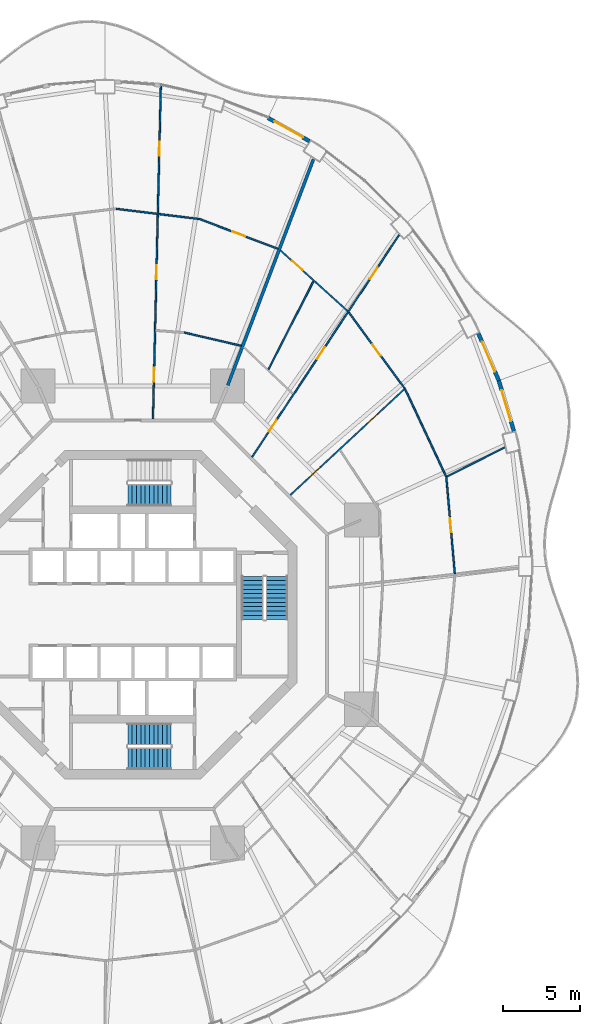
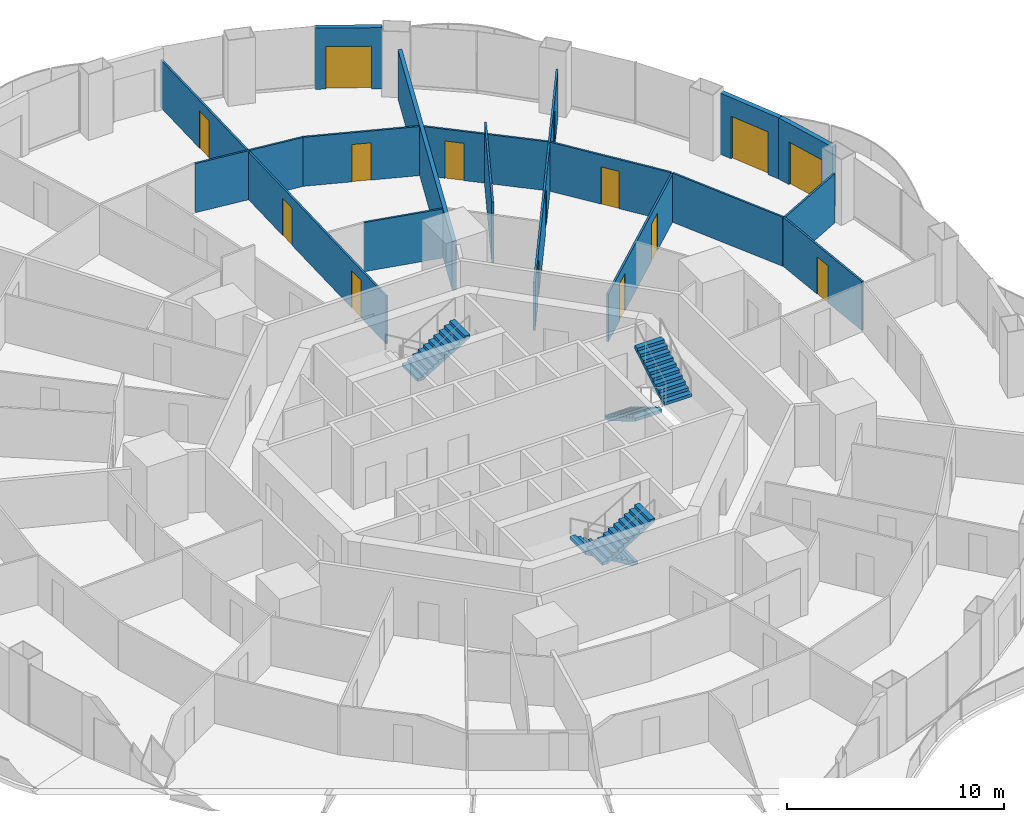
# One storey, part 20 of 24: 16 walls, 15 doors, 5 stair flights, 15 openings, 3 elements without a shape of their own.
"""IFC4 building model written with IfcOpenShell, lengths in metres."""

from ifc_helpers import new_model, si_unit, direction, frame, frame_2d, origin, place, context, subcontext, project, spatial, polyline, rectangle, outline, extrude, material, layer, layer_set, type_object, element, fill, aggregate, save


model = new_model("IFC4")

# Units and contexts
model_context = context("Model", 3, precision=1e-05, world=origin(), true_north=direction((0.0, 1.0)))
body_context = subcontext(model_context, "Body", "Model", "MODEL_VIEW")
ifc_project = project(units=[si_unit("LENGTHUNIT", "METRE"), si_unit("AREAUNIT", "SQUARE_METRE"), si_unit("VOLUMEUNIT", "CUBIC_METRE"), si_unit("PLANEANGLEUNIT", "RADIAN"), si_unit("MASSUNIT", "GRAM", prefix="KILO")], contexts=[model_context])

# Site, building, storey
site_placement = place(None, origin())
site = spatial("IfcSite", under=ifc_project, at=site_placement, CompositionType="ELEMENT")
building_placement = place(site_placement, origin())
building = spatial("IfcBuilding", under=site, at=building_placement, Name="Nagisa Residences", CompositionType="ELEMENT")
storey_placement = place(building_placement, frame((0.0, 0.0, 102.89990234375)))
storey = spatial("IfcBuildingStorey", under=building, at=storey_placement, Name="L25", CompositionType="ELEMENT", Elevation=102.89990234375)

# Wall
ifc_material_1 = material(Name="Gypsum board on steel studs", Category="steel")
ifc_layer_1 = layer(ifc_material_1, 0.199951171875)
ifc_layer_set_1 = layer_set([ifc_layer_1], Name="Apartment compartment wall EI60 200")
wall_type_1 = type_object("IfcWallType", Name="Apartment compartment wall EI60 200", PredefinedType="PARTITIONING", material=ifc_layer_set_1)
wall_1_placement = place(storey_placement, frame((6.140625, 14.828857421875, 0.0), z_axis=(0.0, 0.0, 1.0), x_axis=(0.354477134193, 0.935064682968, 0.0)))
element("IfcWall", 1, at=wall_1_placement, inside=storey, type_object=wall_type_1, Name="wall:L25:u01", PredefinedType="PARTITIONING", context=body_context, shape_type="SweptSolid", body=[
    extrude(rectangle(XDim=15.6259765625, YDim=0.199951171875, at=frame_2d((7.81298828125, 0.0))), origin(), (0.0, 0.0, 1.0), 2.76220703125),
])

# Wall, opening, door
ifc_material_2 = material(Name="Gypsum board on steel studs", Category="steel")
ifc_layer_2 = layer(ifc_material_2, 0.10009765625)
ifc_layer_set_2 = layer_set([ifc_layer_2], Name="Apartment partition 100")
wall_type_2 = type_object("IfcWallType", Name="Apartment partition 100", PredefinedType="PARTITIONING", material=ifc_layer_set_2)
wall_2_placement = place(storey_placement, frame((20.8251953125, 2.64208984375, 0.0), z_axis=(0.0, 0.0, 1.0), x_axis=(-0.08776338161, 0.996141349834, 0.0)))
wall_2 = element("IfcWall", 2, at=wall_2_placement, inside=storey, type_object=wall_type_2, Name="wall:L25:u21", PredefinedType="PARTITIONING", context=body_context, shape_type="SweptSolid", body=[
    extrude(rectangle(XDim=6.3369140625, YDim=0.10009765625, at=frame_2d((3.16845703125, 0.0))), origin(), (0.0, 0.0, 1.0), 2.76220703125),
])
opening_1_placement = place(wall_2_placement, frame((2.693603515625, 0.0, 0.0)))
opening_1 = element("IfcOpeningElement", 3, at=opening_1_placement, cuts=wall_2, Name="Opening L25-U33", PredefinedType="OPENING", context=body_context, shape_type="SweptSolid", body=[
    extrude(rectangle(XDim=0.89990234375, YDim=2.10009765625, at=frame_2d((0.449951171875, 1.050048828125))), frame((0.0, 0.06005859375, 0.0), z_axis=(0.0, -1.0, 0.0), x_axis=(1.0, 0.0, 0.0)), (0.0, 0.0, 1.0), 0.1201171875),
])
ifc_material_3 = material(Name="Timber door set", Category="wood")
door_type_1 = type_object("IfcDoorType", Name="Apartment door 900x2100", OperationType="NOTDEFINED", PredefinedType="DOOR", material=ifc_material_3)
door_1_placement = place(opening_1_placement, frame((0.89990234375, 0.0, 0.0), x_axis=(-1.0, 0.0, 0.0)))
door_1 = element("IfcDoor", 4, at=door_1_placement, inside=storey, type_object=door_type_1, Name="Door to bedroom, Apartment 25C", OperationType="SINGLE_SWING_RIGHT", OverallHeight=2.10009765625, OverallWidth=0.89990234375, PredefinedType="DOOR", context=body_context, shape_type="SweptSolid", body=[
    extrude(rectangle(XDim=0.89990234375, YDim=2.10009765625, at=frame_2d((0.449951171875, 1.050048828125))), frame((0.0, 0.02490234375, 0.0), z_axis=(0.0, -1.0, 0.0), x_axis=(1.0, 0.0, 0.0)), (0.0, 0.0, 1.0), 0.050048828125),
])
fill(opening_1, door_1)

# Walls
wall_3_placement = place(storey_placement, frame((20.318115234375, 8.92724609375, 0.0), z_axis=(0.0, 0.0, 1.0), x_axis=(0.892057836959, 0.451921249246, 0.0)))
element("IfcWall", 5, at=wall_3_placement, inside=storey, type_object=wall_type_2, Name="wall:L25:u25", PredefinedType="PARTITIONING", context=body_context, shape_type="SweptSolid", body=[
    extrude(rectangle(XDim=4.1640625, YDim=0.10009765625, at=frame_2d((2.08203125, 0.0))), origin(), (0.0, 0.0, 1.0), 2.76220703125),
])
wall_4_placement = place(storey_placement, frame((20.252197265625, 8.949951171875, 0.0), z_axis=(0.0, 0.0, 1.0), x_axis=(-0.424580052627, 0.90539040138, 0.0)))
element("IfcWall", 6, at=wall_4_placement, inside=storey, type_object=wall_type_2, Name="wall:L25:u26", PredefinedType="PARTITIONING", context=body_context, shape_type="SweptSolid", body=[
    extrude(rectangle(XDim=6.204345703125, YDim=0.10009765625, at=frame_2d((3.10205078125, 0.0))), origin(), (0.0, 0.0, 1.0), 2.76220703125),
])

# Wall, openings, doors
wall_5_placement = place(storey_placement, frame((10.1845703125, 7.72607421875, 0.0), z_axis=(0.0, 0.0, 1.0), x_axis=(0.732598472978, 0.680661059112, 0.0)))
wall_5 = element("IfcWall", 7, at=wall_5_placement, inside=storey, type_object=wall_type_2, Name="wall:L25:u27", PredefinedType="PARTITIONING", context=body_context, shape_type="SweptSolid", body=[
    extrude(rectangle(XDim=10.16748046875, YDim=0.10009765625, at=frame_2d((5.083740234375, 0.0))), origin(), (0.0, 0.0, 1.0), 2.68701171875),
])
opening_2_placement = place(wall_5_placement, frame((1.724853515625, 0.0, 0.0)))
opening_2 = element("IfcOpeningElement", 8, at=opening_2_placement, cuts=wall_5, Name="Opening L25-U29", PredefinedType="OPENING", context=body_context, shape_type="SweptSolid", body=[
    extrude(rectangle(XDim=0.89990234375, YDim=2.10009765625, at=frame_2d((0.449951171875, 1.050048828125))), frame((0.0, 0.06005859375, 0.0), z_axis=(0.0, -1.0, 0.0), x_axis=(1.0, 0.0, 0.0)), (0.0, 0.0, 1.0), 0.1201171875),
])
opening_3_placement = place(wall_5_placement, frame((6.78369140625, 0.0, 0.0)))
opening_3 = element("IfcOpeningElement", 9, at=opening_3_placement, cuts=wall_5, Name="Opening L25-U31", PredefinedType="OPENING", context=body_context, shape_type="SweptSolid", body=[
    extrude(rectangle(XDim=0.89990234375, YDim=2.10009765625, at=frame_2d((0.449951171875, 1.050048828125))), frame((0.0, 0.06005859375, 0.0), z_axis=(0.0, -1.0, 0.0), x_axis=(1.0, 0.0, 0.0)), (0.0, 0.0, 1.0), 0.1201171875),
])
door_2_placement = place(opening_2_placement, frame((0.89990234375, 0.0, 0.0), x_axis=(-1.0, 0.0, 0.0)))
door_2 = element("IfcDoor", 10, at=door_2_placement, inside=storey, type_object=door_type_1, Name="Door to laundry, Apartment 25C", OperationType="SINGLE_SWING_RIGHT", OverallHeight=2.10009765625, OverallWidth=0.89990234375, PredefinedType="DOOR", context=body_context, shape_type="SweptSolid", body=[
    extrude(rectangle(XDim=0.89990234375, YDim=2.10009765625, at=frame_2d((0.449951171875, 1.050048828125))), frame((0.0, 0.02490234375, 0.0), z_axis=(0.0, -1.0, 0.0), x_axis=(1.0, 0.0, 0.0)), (0.0, 0.0, 1.0), 0.050048828125),
])
fill(opening_2, door_2)
door_3_placement = place(opening_3_placement, frame((0.89990234375, 0.0, 0.0), x_axis=(-1.0, 0.0, 0.0)))
door_3 = element("IfcDoor", 11, at=door_3_placement, inside=storey, type_object=door_type_1, Name="Door to dining room, Apartment 25C", OperationType="SINGLE_SWING_RIGHT", OverallHeight=2.10009765625, OverallWidth=0.89990234375, PredefinedType="DOOR", context=body_context, shape_type="SweptSolid", body=[
    extrude(rectangle(XDim=0.89990234375, YDim=2.10009765625, at=frame_2d((0.449951171875, 1.050048828125))), frame((0.0, 0.02490234375, 0.0), z_axis=(0.0, -1.0, 0.0), x_axis=(1.0, 0.0, 0.0)), (0.0, 0.0, 1.0), 0.050048828125),
])
fill(opening_3, door_3)

# Wall, opening, door
wall_6_placement = place(storey_placement, frame((17.567138671875, 14.65283203125, 0.0), z_axis=(0.0, 0.0, 1.0), x_axis=(-0.592391983588, 0.80564988536, 0.0)))
wall_6 = element("IfcWall", 12, at=wall_6_placement, inside=storey, type_object=wall_type_2, Name="wall:L25:u28", PredefinedType="PARTITIONING", context=body_context, shape_type="SweptSolid", body=[
    extrude(rectangle(XDim=6.080078125, YDim=0.10009765625, at=frame_2d((3.0400390625, 0.0))), origin(), (0.0, 0.0, 1.0), 2.76220703125),
])
opening_4_placement = place(wall_6_placement, frame((2.590087890625, 0.0, 0.0)))
opening_4 = element("IfcOpeningElement", 13, at=opening_4_placement, cuts=wall_6, Name="Opening L25-U34", PredefinedType="OPENING", context=body_context, shape_type="SweptSolid", body=[
    extrude(rectangle(XDim=0.89990234375, YDim=2.10009765625, at=frame_2d((0.449951171875, 1.050048828125))), frame((0.0, 0.06005859375, 0.0), z_axis=(0.0, -1.0, 0.0), x_axis=(1.0, 0.0, 0.0)), (0.0, 0.0, 1.0), 0.1201171875),
])
door_4_placement = place(opening_4_placement, frame((0.89990234375, 0.0, 0.0), x_axis=(-1.0, 0.0, 0.0)))
door_4 = element("IfcDoor", 14, at=door_4_placement, inside=storey, type_object=door_type_1, Name="Door to living room, Apartment 25C", OperationType="SINGLE_SWING_LEFT", OverallHeight=2.10009765625, OverallWidth=0.89990234375, PredefinedType="DOOR", context=body_context, shape_type="SweptSolid", body=[
    extrude(rectangle(XDim=0.89990234375, YDim=2.10009765625, at=frame_2d((0.449951171875, 1.050048828125))), frame((0.0, 0.02490234375, 0.0), z_axis=(0.0, -1.0, 0.0), x_axis=(1.0, 0.0, 0.0)), (0.0, 0.0, 1.0), 0.050048828125),
])
fill(opening_4, door_4)

# Wall, openings, doors
wall_7_placement = place(storey_placement, frame((7.713134765625, 10.19482421875, 0.0), z_axis=(0.0, 0.0, 1.0), x_axis=(0.552111071171, 0.833770571015, 0.0)))
wall_7 = element("IfcWall", 15, at=wall_7_placement, inside=storey, type_object=wall_type_2, Name="wall:L25:u29", PredefinedType="PARTITIONING", context=body_context, shape_type="SweptSolid", body=[
    extrude(rectangle(XDim=17.20849609375, YDim=0.10009765625, at=frame_2d((8.604248046875, 0.0))), origin(), (0.0, 0.0, 1.0), 2.68701171875),
])
opening_5_placement = place(wall_7_placement, frame((1.975830078125, 0.0, 0.0)))
opening_5 = element("IfcOpeningElement", 16, at=opening_5_placement, cuts=wall_7, Name="Opening L25-U30", PredefinedType="OPENING", context=body_context, shape_type="SweptSolid", body=[
    extrude(rectangle(XDim=0.89990234375, YDim=2.10009765625, at=frame_2d((0.449951171875, 1.050048828125))), frame((0.0, 0.06005859375, 0.0), z_axis=(0.0, -1.0, 0.0), x_axis=(1.0, 0.0, 0.0)), (0.0, 0.0, 1.0), 0.1201171875),
])
opening_6_placement = place(wall_7_placement, frame((7.611083984375, 0.0, 0.0)))
opening_6 = element("IfcOpeningElement", 17, at=opening_6_placement, cuts=wall_7, Name="Opening L25-U32", PredefinedType="OPENING", context=body_context, shape_type="SweptSolid", body=[
    extrude(rectangle(XDim=0.89990234375, YDim=2.10009765625, at=frame_2d((0.449951171875, 1.050048828125))), frame((0.0, 0.06005859375, 0.0), z_axis=(0.0, -1.0, 0.0), x_axis=(1.0, 0.0, 0.0)), (0.0, 0.0, 1.0), 0.1201171875),
])
opening_7_placement = place(wall_7_placement, frame((13.78955078125, 0.0, 0.0)))
opening_7 = element("IfcOpeningElement", 18, at=opening_7_placement, cuts=wall_7, Name="Opening L25-U35", PredefinedType="OPENING", context=body_context, shape_type="SweptSolid", body=[
    extrude(rectangle(XDim=0.89990234375, YDim=2.10009765625, at=frame_2d((0.449951171875, 1.050048828125))), frame((0.0, 0.06005859375, 0.0), z_axis=(0.0, -1.0, 0.0), x_axis=(1.0, 0.0, 0.0)), (0.0, 0.0, 1.0), 0.1201171875),
])
door_5_placement = place(opening_5_placement, origin())
door_5 = element("IfcDoor", 19, at=door_5_placement, inside=storey, type_object=door_type_1, Name="Door to store, Apartment 25C", OperationType="SINGLE_SWING_RIGHT", OverallHeight=2.10009765625, OverallWidth=0.89990234375, PredefinedType="DOOR", context=body_context, shape_type="SweptSolid", body=[
    extrude(rectangle(XDim=0.89990234375, YDim=2.10009765625, at=frame_2d((0.449951171875, 1.050048828125))), frame((0.0, 0.02490234375, 0.0), z_axis=(0.0, -1.0, 0.0), x_axis=(1.0, 0.0, 0.0)), (0.0, 0.0, 1.0), 0.050048828125),
])
fill(opening_5, door_5)
door_6_placement = place(opening_6_placement, origin())
door_6 = element("IfcDoor", 20, at=door_6_placement, inside=storey, type_object=door_type_1, Name="Door to family bathroom, Apartment 25C", OperationType="SINGLE_SWING_RIGHT", OverallHeight=2.10009765625, OverallWidth=0.89990234375, PredefinedType="DOOR", context=body_context, shape_type="SweptSolid", body=[
    extrude(rectangle(XDim=0.89990234375, YDim=2.10009765625, at=frame_2d((0.449951171875, 1.050048828125))), frame((0.0, 0.02490234375, 0.0), z_axis=(0.0, -1.0, 0.0), x_axis=(1.0, 0.0, 0.0)), (0.0, 0.0, 1.0), 0.050048828125),
])
fill(opening_6, door_6)
door_7_placement = place(opening_7_placement, origin())
door_7 = element("IfcDoor", 21, at=door_7_placement, inside=storey, type_object=door_type_1, Name="Door to master bedroom, Apartment 25C", OperationType="SINGLE_SWING_LEFT", OverallHeight=2.10009765625, OverallWidth=0.89990234375, PredefinedType="DOOR", context=body_context, shape_type="SweptSolid", body=[
    extrude(rectangle(XDim=0.89990234375, YDim=2.10009765625, at=frame_2d((0.449951171875, 1.050048828125))), frame((0.0, 0.02490234375, 0.0), z_axis=(0.0, -1.0, 0.0), x_axis=(1.0, 0.0, 0.0)), (0.0, 0.0, 1.0), 0.050048828125),
])
fill(opening_7, door_7)

# Wall, opening, door
wall_8_placement = place(storey_placement, frame((13.8984375, 19.625244140625, 0.0), z_axis=(0.0, 0.0, 1.0), x_axis=(-0.742396654702, 0.669960601146, 0.0)))
wall_8 = element("IfcWall", 22, at=wall_8_placement, inside=storey, type_object=wall_type_2, Name="wall:L25:u31", PredefinedType="PARTITIONING", context=body_context, shape_type="SweptSolid", body=[
    extrude(rectangle(XDim=5.861083984375, YDim=0.10009765625, at=frame_2d((2.9306640625, 0.0))), origin(), (0.0, 0.0, 1.0), 2.76220703125),
])
opening_8_placement = place(wall_8_placement, frame((3.95849609375, 0.0, 0.0)))
opening_8 = element("IfcOpeningElement", 23, at=opening_8_placement, cuts=wall_8, Name="Opening L25-U38", PredefinedType="OPENING", context=body_context, shape_type="SweptSolid", body=[
    extrude(rectangle(XDim=0.89990234375, YDim=2.10009765625, at=frame_2d((0.449951171875, 1.050048828125))), frame((0.0, 0.06005859375, 0.0), z_axis=(0.0, -1.0, 0.0), x_axis=(1.0, 0.0, 0.0)), (0.0, 0.0, 1.0), 0.1201171875),
])
door_8_placement = place(opening_8_placement, origin())
door_8 = element("IfcDoor", 24, at=door_8_placement, inside=storey, type_object=door_type_1, Name="Door to en-suite bathroom, Apartment 25C", OperationType="SINGLE_SWING_RIGHT", OverallHeight=2.10009765625, OverallWidth=0.89990234375, PredefinedType="DOOR", context=body_context, shape_type="SweptSolid", body=[
    extrude(rectangle(XDim=0.89990234375, YDim=2.10009765625, at=frame_2d((0.449951171875, 1.050048828125))), frame((0.0, 0.02490234375, 0.0), z_axis=(0.0, -1.0, 0.0), x_axis=(1.0, 0.0, 0.0)), (0.0, 0.0, 1.0), 0.050048828125),
])
fill(opening_8, door_8)

# Walls
wall_9_placement = place(storey_placement, frame((8.769287109375, 15.84619140625, 0.0), z_axis=(0.0, 0.0, 1.0), x_axis=(0.454067187552, 0.890967445639, 0.0)))
element("IfcWall", 25, at=wall_9_placement, inside=storey, type_object=wall_type_2, Name="wall:L25:u32", PredefinedType="PARTITIONING", context=body_context, shape_type="SweptSolid", body=[
    extrude(rectangle(XDim=6.413818359375, YDim=0.10009765625, at=frame_2d((3.20703125, 0.0))), origin(), (0.0, 0.0, 1.0), 3.440185546875),
])
wall_10_placement = place(storey_placement, frame((7.004150390625, 17.385986328125, 0.0), z_axis=(0.0, 0.0, 1.0), x_axis=(-0.974179728512, 0.225773905837, 0.0)))
element("IfcWall", 26, at=wall_10_placement, inside=storey, type_object=wall_type_2, Name="wall:L25:u33", PredefinedType="PARTITIONING", context=body_context, shape_type="SweptSolid", body=[
    extrude(rectangle(XDim=3.802001953125, YDim=0.10009765625, at=frame_2d((1.90087890625, 0.0))), origin(), (0.0, 0.0, 1.0), 2.76220703125),
])

# Wall, opening, door
wall_11_placement = place(storey_placement, frame((9.37939453125, 23.654541015625, 0.0), z_axis=(0.0, 0.0, 1.0), x_axis=(-0.934609369022, 0.355675873986, 0.0)))
wall_11 = element("IfcWall", 27, at=wall_11_placement, inside=storey, type_object=wall_type_2, Name="wall:L25:u34", PredefinedType="PARTITIONING", context=body_context, shape_type="SweptSolid", body=[
    extrude(rectangle(XDim=5.466552734375, YDim=0.10009765625, at=frame_2d((2.7333984375, 0.0))), origin(), (0.0, 0.0, 1.0), 2.76220703125),
])
opening_9_placement = place(wall_11_placement, frame((2.25830078125, 0.0, 0.0)))
opening_9 = element("IfcOpeningElement", 28, at=opening_9_placement, cuts=wall_11, Name="Opening L25-U47", PredefinedType="OPENING", context=body_context, shape_type="SweptSolid", body=[
    extrude(rectangle(XDim=0.89990234375, YDim=2.10009765625, at=frame_2d((0.449951171875, 1.050048828125))), frame((0.0, 0.06005859375, 0.0), z_axis=(0.0, -1.0, 0.0), x_axis=(1.0, 0.0, 0.0)), (0.0, 0.0, 1.0), 0.1201171875),
])
door_9_placement = place(opening_9_placement, frame((0.89990234375, 0.0, 0.0), x_axis=(-1.0, 0.0, 0.0)))
door_9 = element("IfcDoor", 29, at=door_9_placement, inside=storey, type_object=door_type_1, Name="Door to living room, Apartment 25D", OperationType="SINGLE_SWING_RIGHT", OverallHeight=2.10009765625, OverallWidth=0.89990234375, PredefinedType="DOOR", context=body_context, shape_type="SweptSolid", body=[
    extrude(rectangle(XDim=0.89990234375, YDim=2.10009765625, at=frame_2d((0.449951171875, 1.050048828125))), frame((0.0, 0.02490234375, 0.0), z_axis=(0.0, -1.0, 0.0), x_axis=(1.0, 0.0, 0.0)), (0.0, 0.0, 1.0), 0.050048828125),
])
fill(opening_9, door_9)

# Wall
wall_12_placement = place(storey_placement, frame((4.267333984375, 25.587158203125, 0.0), z_axis=(0.0, 0.0, 1.0), x_axis=(-0.992576206119, 0.121624319302, 0.0)))
element("IfcWall", 30, at=wall_12_placement, inside=storey, type_object=wall_type_2, Name="wall:L25:u36", PredefinedType="PARTITIONING", context=body_context, shape_type="SweptSolid", body=[
    extrude(rectangle(XDim=5.37353515625, YDim=0.10009765625, at=frame_2d((2.686767578125, 0.0))), origin(), (0.0, 0.0, 1.0), 2.76220703125),
])

# Wall, openings, doors
wall_13_placement = place(storey_placement, frame((1.303466796875, 12.664794921875, 0.0), z_axis=(0.0, 0.0, 1.0), x_axis=(0.023564110689, 0.999722327793, 0.0)))
wall_13 = element("IfcWall", 31, at=wall_13_placement, inside=storey, type_object=wall_type_2, Name="wall:L25:u37", PredefinedType="PARTITIONING", context=body_context, shape_type="SweptSolid", body=[
    extrude(rectangle(XDim=21.664306640625, YDim=0.10009765625, at=frame_2d((10.83203125, 0.0))), origin(), (0.0, 0.0, 1.0), 2.68701171875),
])
opening_10_placement = place(wall_13_placement, frame((2.407470703125, 0.0, 0.0)))
opening_10 = element("IfcOpeningElement", 32, at=opening_10_placement, cuts=wall_13, Name="Opening L25-U42", PredefinedType="OPENING", context=body_context, shape_type="SweptSolid", body=[
    extrude(rectangle(XDim=0.89990234375, YDim=2.10009765625, at=frame_2d((0.449951171875, 1.050048828125))), frame((0.0, 0.06005859375, 0.0), z_axis=(0.0, -1.0, 0.0), x_axis=(1.0, 0.0, 0.0)), (0.0, 0.0, 1.0), 0.1201171875),
])
opening_11_placement = place(wall_13_placement, frame((9.03369140625, 0.0, 0.0)))
opening_11 = element("IfcOpeningElement", 33, at=opening_11_placement, cuts=wall_13, Name="Opening L25-U44", PredefinedType="OPENING", context=body_context, shape_type="SweptSolid", body=[
    extrude(rectangle(XDim=0.89990234375, YDim=2.10009765625, at=frame_2d((0.449951171875, 1.050048828125))), frame((0.0, 0.06005859375, 0.0), z_axis=(0.0, -1.0, 0.0), x_axis=(1.0, 0.0, 0.0)), (0.0, 0.0, 1.0), 0.1201171875),
])
opening_12_placement = place(wall_13_placement, frame((17.008544921875, 0.0, 0.0)))
opening_12 = element("IfcOpeningElement", 34, at=opening_12_placement, cuts=wall_13, Name="Opening L25-U48", PredefinedType="OPENING", context=body_context, shape_type="SweptSolid", body=[
    extrude(rectangle(XDim=0.89990234375, YDim=2.10009765625, at=frame_2d((0.449951171875, 1.050048828125))), frame((0.0, 0.06005859375, 0.0), z_axis=(0.0, -1.0, 0.0), x_axis=(1.0, 0.0, 0.0)), (0.0, 0.0, 1.0), 0.1201171875),
])
door_10_placement = place(opening_10_placement, frame((0.89990234375, 0.0, 0.0), x_axis=(-1.0, 0.0, 0.0)))
door_10 = element("IfcDoor", 35, at=door_10_placement, inside=storey, type_object=door_type_1, Name="Door to laundry, Apartment 25D", OperationType="SINGLE_SWING_LEFT", OverallHeight=2.10009765625, OverallWidth=0.89990234375, PredefinedType="DOOR", context=body_context, shape_type="SweptSolid", body=[
    extrude(rectangle(XDim=0.89990234375, YDim=2.10009765625, at=frame_2d((0.449951171875, 1.050048828125))), frame((0.0, 0.02490234375, 0.0), z_axis=(0.0, -1.0, 0.0), x_axis=(1.0, 0.0, 0.0)), (0.0, 0.0, 1.0), 0.050048828125),
])
fill(opening_10, door_10)
door_11_placement = place(opening_11_placement, frame((0.89990234375, 0.0, 0.0), x_axis=(-1.0, 0.0, 0.0)))
door_11 = element("IfcDoor", 36, at=door_11_placement, inside=storey, type_object=door_type_1, Name="Door to dining room, Apartment 25D", OperationType="SINGLE_SWING_LEFT", OverallHeight=2.10009765625, OverallWidth=0.89990234375, PredefinedType="DOOR", context=body_context, shape_type="SweptSolid", body=[
    extrude(rectangle(XDim=0.89990234375, YDim=2.10009765625, at=frame_2d((0.449951171875, 1.050048828125))), frame((0.0, 0.02490234375, 0.0), z_axis=(0.0, -1.0, 0.0), x_axis=(1.0, 0.0, 0.0)), (0.0, 0.0, 1.0), 0.050048828125),
])
fill(opening_11, door_11)
door_12_placement = place(opening_12_placement, origin())
door_12 = element("IfcDoor", 37, at=door_12_placement, inside=storey, type_object=door_type_1, Name="Door to family room, Apartment 25D", OperationType="SINGLE_SWING_RIGHT", OverallHeight=2.10009765625, OverallWidth=0.89990234375, PredefinedType="DOOR", context=body_context, shape_type="SweptSolid", body=[
    extrude(rectangle(XDim=0.89990234375, YDim=2.10009765625, at=frame_2d((0.449951171875, 1.050048828125))), frame((0.0, 0.02490234375, 0.0), z_axis=(0.0, -1.0, 0.0), x_axis=(1.0, 0.0, 0.0)), (0.0, 0.0, 1.0), 0.050048828125),
])
fill(opening_12, door_12)

# Wall, opening, door
ifc_material_4 = material(Name="Precast concrete C40/50", Category="concrete")
ifc_layer_3 = layer(ifc_material_4, 0.25)
ifc_layer_set_3 = layer_set([ifc_layer_3], Name="BALCONY DOOR WALL 250")
wall_type_3 = type_object("IfcWallType", Name="BALCONY DOOR WALL 250", PredefinedType="SOLIDWALL", material=ifc_layer_set_3)
wall_14_placement = place(storey_placement, frame((23.6669921875, 15.142333984375, 0.0), z_axis=(0.0, 0.0, 1.0), x_axis=(0.285882094477, -0.958264800594, 0.0)))
wall_14 = element("IfcWall", 38, at=wall_14_placement, inside=storey, type_object=wall_type_3, Name="wall:L25:bay02", PredefinedType="SOLIDWALL", context=body_context, shape_type="SweptSolid", body=[
    extrude(rectangle(XDim=3.423583984375, YDim=0.25, at=frame_2d((1.7119140625, 0.0))), origin(), (0.0, 0.0, 1.0), 3.440185546875),
])
opening_13_placement = place(wall_14_placement, frame((0.661865234375, 0.0, 0.0)))
opening_13 = element("IfcOpeningElement", 39, at=opening_13_placement, cuts=wall_14, Name="Opening BD-L25-01", PredefinedType="OPENING", context=body_context, shape_type="SweptSolid", body=[
    extrude(rectangle(XDim=2.10009765625, YDim=2.39990234375, at=frame_2d((1.050048828125, 1.199951171875))), frame((0.0, 0.135009765625, 0.0), z_axis=(0.0, -1.0, 0.0), x_axis=(1.0, 0.0, 0.0)), (0.0, 0.0, 1.0), 0.27001953125),
])
ifc_material_5 = material(Name="Aluminium and clear glass", Category="aluminium")
door_type_2 = type_object("IfcDoorType", Name="BALCONY SLIDING DOOR 2100x2400", OperationType="SLIDING_TO_LEFT", PredefinedType="DOOR", material=ifc_material_5)
door_13_placement = place(opening_13_placement, origin())
door_13 = element("IfcDoor", 40, at=door_13_placement, inside=storey, type_object=door_type_2, Name="door:L25:bay02", OperationType="SLIDING_TO_LEFT", OverallHeight=2.39990234375, OverallWidth=2.10009765625, PredefinedType="DOOR", context=body_context, shape_type="SweptSolid", body=[
    extrude(rectangle(XDim=2.10009765625, YDim=2.39990234375, at=frame_2d((1.050048828125, 1.199951171875))), frame((0.0, 0.02490234375, 0.0), z_axis=(0.0, -1.0, 0.0), x_axis=(1.0, 0.0, 0.0)), (0.0, 0.0, 1.0), 0.050048828125),
])
fill(opening_13, door_13)

wall_15_placement = place(storey_placement, frame((22.328369140625, 18.22900390625, 0.0), z_axis=(0.0, 0.0, 1.0), x_axis=(0.397621629246, -0.917549475481, 0.0)))
wall_15 = element("IfcWall", 41, at=wall_15_placement, inside=storey, type_object=wall_type_3, Name="wall:L25:bay03", PredefinedType="SOLIDWALL", context=body_context, shape_type="SweptSolid", body=[
    extrude(rectangle(XDim=3.37939453125, YDim=0.25, at=frame_2d((1.689697265625, 0.0))), origin(), (0.0, 0.0, 1.0), 3.440185546875),
])
opening_14_placement = place(wall_15_placement, frame((0.6396484375, 0.0, 0.0)))
opening_14 = element("IfcOpeningElement", 42, at=opening_14_placement, cuts=wall_15, Name="Opening BD-L25-02", PredefinedType="OPENING", context=body_context, shape_type="SweptSolid", body=[
    extrude(rectangle(XDim=2.10009765625, YDim=2.39990234375, at=frame_2d((1.050048828125, 1.199951171875))), frame((0.0, 0.135009765625, 0.0), z_axis=(0.0, -1.0, 0.0), x_axis=(1.0, 0.0, 0.0)), (0.0, 0.0, 1.0), 0.27001953125),
])
door_14_placement = place(opening_14_placement, origin())
door_14 = element("IfcDoor", 43, at=door_14_placement, inside=storey, type_object=door_type_2, Name="door:L25:bay03", OperationType="SLIDING_TO_LEFT", OverallHeight=2.39990234375, OverallWidth=2.10009765625, PredefinedType="DOOR", context=body_context, shape_type="SweptSolid", body=[
    extrude(rectangle(XDim=2.10009765625, YDim=2.39990234375, at=frame_2d((1.050048828125, 1.199951171875))), frame((0.0, 0.02490234375, 0.0), z_axis=(0.0, -1.0, 0.0), x_axis=(1.0, 0.0, 0.0)), (0.0, 0.0, 1.0), 0.050048828125),
])
fill(opening_14, door_14)

wall_16_placement = place(storey_placement, frame((8.7373046875, 32.124755859375, 0.0), z_axis=(0.0, 0.0, 1.0), x_axis=(0.872071158476, -0.489379090843, 0.0)))
wall_16 = element("IfcWall", 44, at=wall_16_placement, inside=storey, type_object=wall_type_3, Name="wall:L25:bay08", PredefinedType="SOLIDWALL", context=body_context, shape_type="SweptSolid", body=[
    extrude(rectangle(XDim=3.07568359375, YDim=0.25, at=frame_2d((1.537841796875, 0.0))), origin(), (0.0, 0.0, 1.0), 3.440185546875),
])
opening_15_placement = place(wall_16_placement, frame((0.48779296875, 0.0, 0.0)))
opening_15 = element("IfcOpeningElement", 45, at=opening_15_placement, cuts=wall_16, Name="Opening BD-L25-03", PredefinedType="OPENING", context=body_context, shape_type="SweptSolid", body=[
    extrude(rectangle(XDim=2.10009765625, YDim=2.39990234375, at=frame_2d((1.050048828125, 1.199951171875))), frame((0.0, 0.135009765625, 0.0), z_axis=(0.0, -1.0, 0.0), x_axis=(1.0, 0.0, 0.0)), (0.0, 0.0, 1.0), 0.27001953125),
])
door_15_placement = place(opening_15_placement, origin())
door_15 = element("IfcDoor", 46, at=door_15_placement, inside=storey, type_object=door_type_2, Name="door:L25:bay08", OperationType="SLIDING_TO_LEFT", OverallHeight=2.39990234375, OverallWidth=2.10009765625, PredefinedType="DOOR", context=body_context, shape_type="SweptSolid", body=[
    extrude(rectangle(XDim=2.10009765625, YDim=2.39990234375, at=frame_2d((1.050048828125, 1.199951171875))), frame((0.0, 0.02490234375, 0.0), z_axis=(0.0, -1.0, 0.0), x_axis=(1.0, 0.0, 0.0)), (0.0, 0.0, 1.0), 0.050048828125),
])
fill(opening_15, door_15)

# Stair, stair flights
ifc_material_6 = material(Name="Concrete C60", Category="concrete")
stair_type = type_object("IfcStairType", Name="Exit stair", PredefinedType="HALF_TURN_STAIR", material=ifc_material_6)
stair_1_placement = place(storey_placement, origin())
stair_1 = element("IfcStair", 47, at=stair_1_placement, inside=storey, type_object=stair_type, Name="L25 Exit stair E", PredefinedType="HALF_TURN_STAIR")
ifc_material_7 = material(Name="Concrete C60", Category="concrete")
stair_flight_type = type_object("IfcStairFlightType", Name="Exit stair flight", PredefinedType="STRAIGHT", material=ifc_material_7)
stair_flight_1_placement = place(storey_placement, frame((7.737060546875, 2.47509765625, 0.0), z_axis=(0.0, 0.0, 1.0), x_axis=(0.0, -1.0, 0.0)))
stair_flight_1 = element("IfcStairFlight", 48, at=stair_flight_1_placement, type_object=stair_flight_type, Name="ST-E flight 1", NumberOfRisers=11, NumberOfTreads=10, PredefinedType="STRAIGHT", RiserHeight=0.168181818, TreadLength=0.28, context=body_context, shape_type="SweptSolid", body=[
    extrude(outline(polyline([(0.0, 0.0), (0.0, 0.168212890625), (0.280029296875, 0.168212890625), (0.280029296875, 0.33642578125), (0.56005859375, 0.33642578125), (0.56005859375, 0.504638671875), (0.840087890625, 0.504638671875), (0.840087890625, 0.672607421875), (1.1201171875, 0.672607421875), (1.1201171875, 0.8408203125), (1.39990234375, 0.8408203125), (1.39990234375, 1.009033203125), (1.679931640625, 1.009033203125), (1.679931640625, 1.17724609375), (1.9599609375, 1.17724609375), (1.9599609375, 1.345458984375), (2.239990234375, 1.345458984375), (2.239990234375, 1.513671875), (2.52001953125, 1.513671875), (2.52001953125, 1.681884765625), (2.800048828125, 1.681884765625), (2.800048828125, 1.85009765625), (2.800048828125, 1.5068359375), (0.291015625, 0.0), (0.0, 0.0)])), frame((0.0, 0.71240234375, 0.0), z_axis=(0.0, -1.0, 0.0), x_axis=(1.0, 0.0, 0.0)), (0.0, 0.0, 1.0), 1.425048828125),
])
stair_flight_2_placement = place(storey_placement, frame((9.31201171875, -0.324951171875, 1.85009765625), z_axis=(0.0, 0.0, 1.0), x_axis=(0.0, 1.0, 0.0)))
stair_flight_2 = element("IfcStairFlight", 49, at=stair_flight_2_placement, type_object=stair_flight_type, Name="ST-E flight 2", NumberOfRisers=11, NumberOfTreads=10, PredefinedType="STRAIGHT", RiserHeight=0.168181818, TreadLength=0.28, context=body_context, shape_type="SweptSolid", body=[
    extrude(outline(polyline([(0.0, 0.0), (0.0, 0.168212890625), (0.280029296875, 0.168212890625), (0.280029296875, 0.33642578125), (0.56005859375, 0.33642578125), (0.56005859375, 0.504638671875), (0.840087890625, 0.504638671875), (0.840087890625, 0.672607421875), (1.1201171875, 0.672607421875), (1.1201171875, 0.8408203125), (1.39990234375, 0.8408203125), (1.39990234375, 1.009033203125), (1.679931640625, 1.009033203125), (1.679931640625, 1.17724609375), (1.9599609375, 1.17724609375), (1.9599609375, 1.345458984375), (2.239990234375, 1.345458984375), (2.239990234375, 1.513671875), (2.52001953125, 1.513671875), (2.52001953125, 1.681884765625), (2.800048828125, 1.681884765625), (2.800048828125, 1.85009765625), (2.800048828125, 1.5068359375), (0.291015625, 0.0), (0.0, 0.0)])), frame((0.0, 0.71240234375, 0.0), z_axis=(0.0, -1.0, 0.0), x_axis=(1.0, 0.0, 0.0)), (0.0, 0.0, 1.0), 1.425048828125),
])
aggregate(stair_1, [stair_flight_1, stair_flight_2])

# Stair, stair flight
stair_2_placement = place(storey_placement, origin())
stair_2 = element("IfcStair", 50, at=stair_2_placement, inside=storey, type_object=stair_type, Name="L25 Exit stair N", PredefinedType="HALF_TURN_STAIR")
stair_flight_3_placement = place(storey_placement, frame((-0.324951171875, 7.737060546875, 1.85009765625), z_axis=(0.0, 0.0, 1.0), x_axis=(1.0, 0.0, 0.0)))
stair_flight_3 = element("IfcStairFlight", 51, at=stair_flight_3_placement, type_object=stair_flight_type, Name="ST-N flight 2", NumberOfRisers=11, NumberOfTreads=10, PredefinedType="STRAIGHT", RiserHeight=0.168181818, TreadLength=0.28, context=body_context, shape_type="SweptSolid", body=[
    extrude(outline(polyline([(0.0, 0.0), (0.0, 0.168212890625), (0.280029296875, 0.168212890625), (0.280029296875, 0.33642578125), (0.56005859375, 0.33642578125), (0.56005859375, 0.504638671875), (0.840087890625, 0.504638671875), (0.840087890625, 0.672607421875), (1.1201171875, 0.672607421875), (1.1201171875, 0.8408203125), (1.39990234375, 0.8408203125), (1.39990234375, 1.009033203125), (1.679931640625, 1.009033203125), (1.679931640625, 1.17724609375), (1.9599609375, 1.17724609375), (1.9599609375, 1.345458984375), (2.239990234375, 1.345458984375), (2.239990234375, 1.513671875), (2.52001953125, 1.513671875), (2.52001953125, 1.681884765625), (2.800048828125, 1.681884765625), (2.800048828125, 1.85009765625), (2.800048828125, 1.5068359375), (0.291015625, 0.0), (0.0, 0.0)])), frame((0.0, 0.71240234375, 0.0), z_axis=(0.0, -1.0, 0.0), x_axis=(1.0, 0.0, 0.0)), (0.0, 0.0, 1.0), 1.425048828125),
])
aggregate(stair_2, [stair_flight_3])

# Stair, stair flights
stair_3_placement = place(storey_placement, origin())
stair_3 = element("IfcStair", 52, at=stair_3_placement, inside=storey, type_object=stair_type, Name="L25 Exit stair S", PredefinedType="HALF_TURN_STAIR")
stair_flight_4_placement = place(storey_placement, frame((2.47509765625, -7.737060546875, 0.0), z_axis=(0.0, 0.0, 1.0), x_axis=(-1.0, 0.0, 0.0)))
stair_flight_4 = element("IfcStairFlight", 53, at=stair_flight_4_placement, type_object=stair_flight_type, Name="ST-S flight 1", NumberOfRisers=11, NumberOfTreads=10, PredefinedType="STRAIGHT", RiserHeight=0.168181818, TreadLength=0.28, context=body_context, shape_type="SweptSolid", body=[
    extrude(outline(polyline([(0.0, 0.0), (0.0, 0.168212890625), (0.280029296875, 0.168212890625), (0.280029296875, 0.33642578125), (0.56005859375, 0.33642578125), (0.56005859375, 0.504638671875), (0.840087890625, 0.504638671875), (0.840087890625, 0.672607421875), (1.1201171875, 0.672607421875), (1.1201171875, 0.8408203125), (1.39990234375, 0.8408203125), (1.39990234375, 1.009033203125), (1.679931640625, 1.009033203125), (1.679931640625, 1.17724609375), (1.9599609375, 1.17724609375), (1.9599609375, 1.345458984375), (2.239990234375, 1.345458984375), (2.239990234375, 1.513671875), (2.52001953125, 1.513671875), (2.52001953125, 1.681884765625), (2.800048828125, 1.681884765625), (2.800048828125, 1.85009765625), (2.800048828125, 1.5068359375), (0.291015625, 0.0), (0.0, 0.0)])), frame((0.0, 0.71240234375, 0.0), z_axis=(0.0, -1.0, 0.0), x_axis=(1.0, 0.0, 0.0)), (0.0, 0.0, 1.0), 1.425048828125),
])
stair_flight_5_placement = place(storey_placement, frame((-0.324951171875, -9.31201171875, 1.85009765625), z_axis=(0.0, 0.0, 1.0), x_axis=(1.0, 0.0, 0.0)))
stair_flight_5 = element("IfcStairFlight", 54, at=stair_flight_5_placement, type_object=stair_flight_type, Name="ST-S flight 2", NumberOfRisers=11, NumberOfTreads=10, PredefinedType="STRAIGHT", RiserHeight=0.168181818, TreadLength=0.28, context=body_context, shape_type="SweptSolid", body=[
    extrude(outline(polyline([(0.0, 0.0), (0.0, 0.168212890625), (0.280029296875, 0.168212890625), (0.280029296875, 0.33642578125), (0.56005859375, 0.33642578125), (0.56005859375, 0.504638671875), (0.840087890625, 0.504638671875), (0.840087890625, 0.672607421875), (1.1201171875, 0.672607421875), (1.1201171875, 0.8408203125), (1.39990234375, 0.8408203125), (1.39990234375, 1.009033203125), (1.679931640625, 1.009033203125), (1.679931640625, 1.17724609375), (1.9599609375, 1.17724609375), (1.9599609375, 1.345458984375), (2.239990234375, 1.345458984375), (2.239990234375, 1.513671875), (2.52001953125, 1.513671875), (2.52001953125, 1.681884765625), (2.800048828125, 1.681884765625), (2.800048828125, 1.85009765625), (2.800048828125, 1.5068359375), (0.291015625, 0.0), (0.0, 0.0)])), frame((0.0, 0.71240234375, 0.0), z_axis=(0.0, -1.0, 0.0), x_axis=(1.0, 0.0, 0.0)), (0.0, 0.0, 1.0), 1.425048828125),
])
aggregate(stair_3, [stair_flight_4, stair_flight_5])

save(model, "model.ifc")
